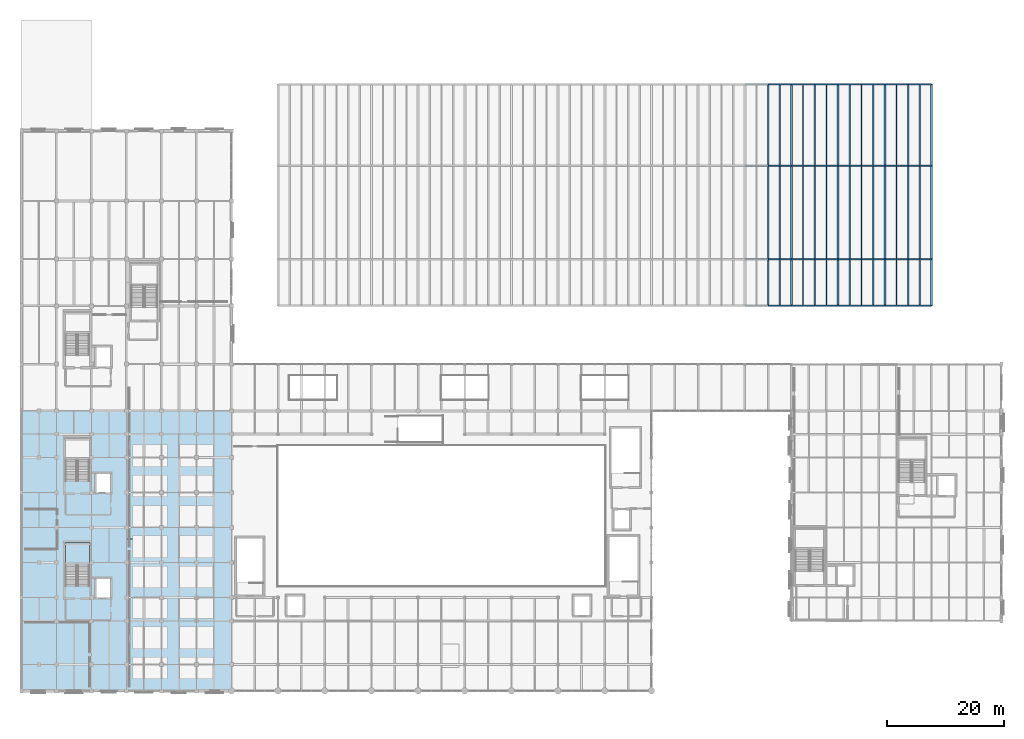
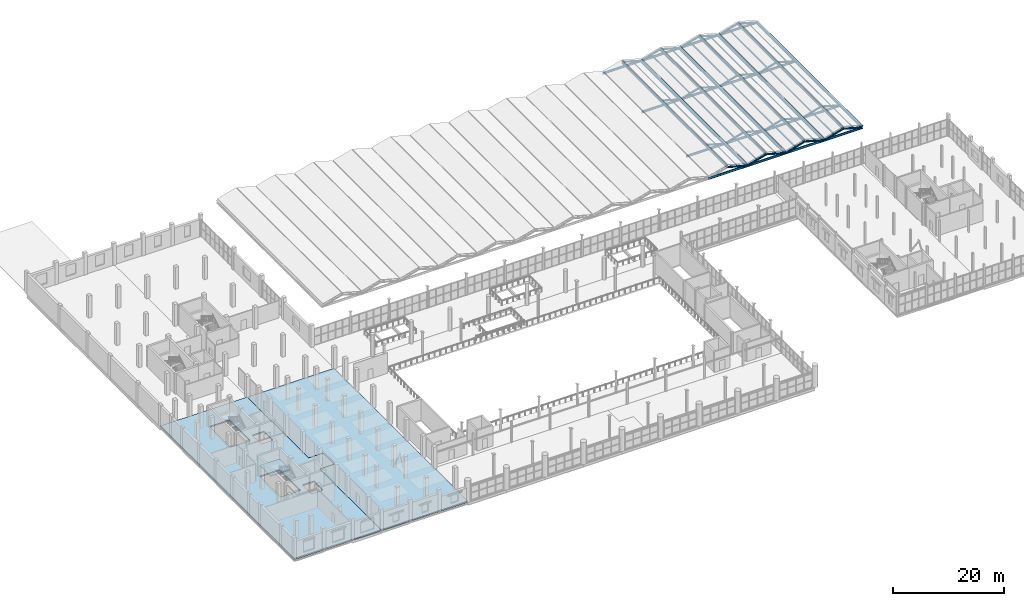
# One storey, part 81 of 114: 49 members, 24 beams, 3 slabs, 1 element without a shape of its own.
"""IFC4 building model written with IfcOpenShell, lengths in metres."""

import ifcopenshell
import ifcopenshell.guid

model = None  # the IFC model being written
_history = None  # IfcOwnerHistory: only IFC2X3 demands one
_inside = {}  # id of a spatial element -> (the spatial element, [elements in it])
_under = {}  # id of a project, library or spatial element -> (it, [spatial elements below it])
_declared = {}  # id of a project -> (the project, [libraries it declares])
_typed = {}  # id of a type object -> (the type object, [elements of that type])
_made_of = {}  # id of a material, layer set ... -> (it, [elements and type objects made of it])


def new_model(schema):
    """Start an empty IFC model of exactly this schema.

    Asked for "IFC4X3", IfcOpenShell would pick the latest addendum, in which some entities
    have other attributes; the version numbers below select the first issue.
    IFC2X3 requires an IfcOwnerHistory on every rooted entity: one is made here for all.
    """
    global model, _history
    if schema == "IFC4X3":
        model = ifcopenshell.file(schema_version=(4, 3, 0, 0))
    else:
        model = ifcopenshell.file(schema=schema)
    _inside.clear()
    _under.clear()
    _declared.clear()
    _typed.clear()
    _made_of.clear()
    _history = None
    if model.schema == "IFC2X3":
        org = make("IfcOrganization", Name="unknown")
        user = make(
            "IfcPersonAndOrganization",
            ThePerson=make("IfcPerson", FamilyName="unknown"),
            TheOrganization=org,
        )
        app = make(
            "IfcApplication",
            ApplicationDeveloper=org,
            Version="unknown",
            ApplicationFullName="unknown",
            ApplicationIdentifier="unknown",
        )
        _history = make(
            "IfcOwnerHistory",
            OwningUser=user,
            OwningApplication=app,
            ChangeAction="ADDED",
            CreationDate=0,
        )
    return model


def make(cls, **values):
    """One entity of the class cls with the attributes given. An attribute that is None is left unset."""
    return model.create_entity(
        cls, **{name: value for name, value in values.items() if value is not None}
    )


def rooted(cls, **values):
    """An entity with a GlobalId (a new one), such as an element, a storey or a relation."""
    return make(cls, GlobalId=ifcopenshell.guid.new(), OwnerHistory=_history, **values)


def si_unit(unit_type, name, prefix=None):
    """IfcSIUnit, for example si_unit("LENGTHUNIT", "METRE", prefix="MILLI")."""
    return make("IfcSIUnit", UnitType=unit_type, Prefix=prefix, Name=name)


def assignment(units):
    """IfcUnitAssignment: the units of a project."""
    return None if units is None else make("IfcUnitAssignment", Units=units)


def point(xyz):
    """IfcCartesianPoint."""
    return None if xyz is None else make("IfcCartesianPoint", Coordinates=xyz)


def direction(xyz):
    """IfcDirection."""
    return None if xyz is None else make("IfcDirection", DirectionRatios=xyz)


def frame(location, z_axis=None, x_axis=None):
    """IfcAxis2Placement3D, a coordinate frame: its origin and axes. An axis left out is left unset."""
    return make(
        "IfcAxis2Placement3D",
        Location=point(location),
        Axis=direction(z_axis),
        RefDirection=direction(x_axis),
    )


def frame_2d(location, x_axis=None):
    """IfcAxis2Placement2D, a coordinate frame in the plane: its origin and x axis."""
    return make(
        "IfcAxis2Placement2D", Location=point(location), RefDirection=direction(x_axis)
    )


def origin():
    """The frame at (0, 0, 0) with its axes left unset."""
    return frame((0.0, 0.0, 0.0))


def origin_2d():
    """The frame at (0, 0) in the plane with its x axis left unset."""
    return frame_2d((0.0, 0.0))


def place(relative_to, where):
    """IfcLocalPlacement: puts the frame where relative to a parent placement (None: the world)."""
    return make(
        "IfcLocalPlacement", PlacementRelTo=relative_to, RelativePlacement=where
    )


def context(
    kind, dimensions, precision=None, world=None, true_north=None, identifier=None
):
    """IfcGeometricRepresentationContext, for example the 3D "Model" context."""
    return make(
        "IfcGeometricRepresentationContext",
        ContextIdentifier=identifier,
        ContextType=kind,
        CoordinateSpaceDimension=dimensions,
        Precision=precision,
        WorldCoordinateSystem=world,
        TrueNorth=true_north,
    )


def subcontext(parent, identifier, kind, view, scale=None):
    """IfcGeometricRepresentationSubContext, for example "Body" below "Model"."""
    return make(
        "IfcGeometricRepresentationSubContext",
        ContextIdentifier=identifier,
        ContextType=kind,
        ParentContext=parent,
        TargetScale=scale,
        TargetView=view,
    )


def project(units=None, contexts=None):
    """IfcProject with its units and contexts."""
    return rooted(
        "IfcProject",
        Name="project",
        RepresentationContexts=contexts,
        UnitsInContext=assignment(units),
    )


def spatial(cls, under=None, at=None, **own):
    """A site, building, storey or space (cls), placed at a placement, below another one or the project."""
    s = rooted(cls, ObjectPlacement=at, **own)
    if under is not None:
        _under.setdefault(under.id(), (under, []))[1].append(s)
    return s


def polyline(points):
    """IfcPolyline through the points."""
    return make("IfcPolyline", Points=[point(p) for p in points])


def profile(cls, at=None, kind="AREA", **sizes):
    """A parametric profile (cls). Its sizes go by their IFC names, for example OverallWidth=200.0."""
    return make(cls, ProfileType=kind, Position=at, **sizes)


def hollow_rectangle(**sizes):
    """IfcRectangleHollowProfileDef."""
    return profile("IfcRectangleHollowProfileDef", **sizes)


def i_section(**sizes):
    """IfcIShapeProfileDef."""
    return profile("IfcIShapeProfileDef", **sizes)


def outline(outer, holes=None, kind="AREA"):
    """IfcArbitraryClosedProfileDef: a profile drawn as a closed curve; with holes, ...WithVoids."""
    if holes is None:
        return make("IfcArbitraryClosedProfileDef", ProfileType=kind, OuterCurve=outer)
    return make(
        "IfcArbitraryProfileDefWithVoids",
        ProfileType=kind,
        OuterCurve=outer,
        InnerCurves=holes,
    )


def extrude(swept, where, along, depth):
    """IfcExtrudedAreaSolid: the profile swept, set in the frame where, extruded along a direction by depth."""
    return make(
        "IfcExtrudedAreaSolid",
        SweptArea=swept,
        Position=where,
        ExtrudedDirection=direction(along),
        Depth=depth,
    )


def shape(context_of_items, identifier, shape_type, items):
    """IfcShapeRepresentation: the items that make up one representation, for example the "Body"."""
    return make(
        "IfcShapeRepresentation",
        ContextOfItems=context_of_items,
        RepresentationIdentifier=identifier,
        RepresentationType=shape_type,
        Items=items,
    )


def material(Name=None, Category=None):
    """IfcMaterial."""
    return make("IfcMaterial", Name=Name, Category=Category)


def layer(
    of_material, thickness, ventilated=None, Name=None, Category=None, Priority=None
):
    """IfcMaterialLayer: one layer of a wall or slab, of a material (None: an air gap)."""
    return make(
        "IfcMaterialLayer",
        Material=of_material,
        LayerThickness=thickness,
        IsVentilated=ventilated,
        Name=Name,
        Category=Category,
        Priority=Priority,
    )


def layer_set(layers, Name=None):
    """IfcMaterialLayerSet."""
    return make("IfcMaterialLayerSet", MaterialLayers=layers, LayerSetName=Name)


def material_profile(
    of_material, cross_section, Name=None, Category=None, Priority=None
):
    """IfcMaterialProfile: a cross section and its material."""
    return make(
        "IfcMaterialProfile",
        Name=Name,
        Material=of_material,
        Profile=cross_section,
        Priority=Priority,
        Category=Category,
    )


def profile_set(profiles, Name=None, composite=None):
    """IfcMaterialProfileSet."""
    return make(
        "IfcMaterialProfileSet",
        Name=Name,
        MaterialProfiles=profiles,
        CompositeProfile=composite,
    )


def made_of(thing, what):
    """Note that an element or type object is made of a material, layer set ...; save() writes the relation."""
    if what is not None:
        _made_of.setdefault(what.id(), (what, []))[1].append(thing)
    return thing


def type_object(cls, material=None, **own):
    """A type object (cls), such as IfcWallType, which elements share."""
    return made_of(rooted(cls, **own), material)


def element(
    cls,
    number,
    at=None,
    inside=None,
    cuts=None,
    type_object=None,
    material=None,
    context=None,
    identifier="Body",
    shape_type=None,
    held_by="IfcProductDefinitionShape",
    body=None,
    shapes=None,
    **own,
):
    """One element of the class cls, such as IfcWall. Its Tag is "e" and its number.

    at: its placement. inside: the storey or other place that contains it. cuts: it is an
    opening in that element (IfcRelVoidsElement). A single representation is given by context,
    identifier, shape_type and body (its items); several are given by shapes. held_by: the class
    of the entity that holds the representations. save() writes the other relations.
    """
    e = rooted(cls, Tag="e%d" % number, ObjectPlacement=at, **own)
    if body is not None:
        shapes = [shape(context, identifier, shape_type, body)]
    if shapes is not None:
        e.Representation = make(held_by, Representations=shapes)
    if inside is not None:
        _inside.setdefault(inside.id(), (inside, []))[1].append(e)
    if cuts is not None:
        rooted(
            "IfcRelVoidsElement", RelatingBuildingElement=cuts, RelatedOpeningElement=e
        )
    if type_object is not None:
        _typed.setdefault(type_object.id(), (type_object, []))[1].append(e)
    return made_of(e, material)


def aggregate(whole, parts):
    """IfcRelAggregates: a whole, such as a stair, and the parts it consists of."""
    return rooted("IfcRelAggregates", RelatingObject=whole, RelatedObjects=parts)


def save(model, path):
    """Write the relations noted so far, then the file.

    IfcRelAggregates (storeys below a building ...), IfcRelContainedInSpatialStructure (elements
    in a storey), IfcRelDefinesByType, IfcRelAssociatesMaterial and IfcRelDeclares: one each for
    every whole, place, type object, material and project.
    """
    for whole, parts in _under.values():
        aggregate(whole, parts)
    for where, things in _inside.values():
        rooted(
            "IfcRelContainedInSpatialStructure",
            RelatedElements=things,
            RelatingStructure=where,
        )
    for kind, things in _typed.values():
        rooted("IfcRelDefinesByType", RelatedObjects=things, RelatingType=kind)
    for what, things in _made_of.values():
        rooted("IfcRelAssociatesMaterial", RelatedObjects=things, RelatingMaterial=what)
    for by, libraries in _declared.values():
        rooted("IfcRelDeclares", RelatingContext=by, RelatedDefinitions=libraries)
    model.write(path)


model = new_model("IFC4")

# Units and contexts
model_context = context("Model", 3, precision=1e-05, world=origin(), true_north=direction((0.0, 1.0)))
body_context = subcontext(model_context, "Body", "Model", "MODEL_VIEW")
ifc_project = project(units=[si_unit("LENGTHUNIT", "METRE"), si_unit("AREAUNIT", "SQUARE_METRE"), si_unit("VOLUMEUNIT", "CUBIC_METRE"), si_unit("PLANEANGLEUNIT", "RADIAN"), si_unit("MASSUNIT", "GRAM", prefix="KILO")], contexts=[model_context])

# Site, building, storey
site_placement = place(None, origin())
site = spatial("IfcSite", under=ifc_project, at=site_placement, CompositionType="ELEMENT")
building_placement = place(site_placement, origin())
building = spatial("IfcBuilding", under=site, at=building_placement, Name="Verrall Gate Interchange", CompositionType="ELEMENT")
storey_placement = place(building_placement, frame((0.0, 0.0, 6.60009765625)))
storey = spatial("IfcBuildingStorey", under=building, at=storey_placement, Name="L02", CompositionType="ELEMENT", Elevation=6.60009765625)

# Beams
ifc_material_1 = material(Name="Structural Steel CSA G40.21 350WT Cat 4", Category="steel")
ifc_material_profile_1 = material_profile(ifc_material_1, i_section(OverallWidth=0.323974609375, OverallDepth=0.611083984375, WebThickness=0.0126953125, FlangeThickness=0.01904296875, FilletRadius=0.014892578125, at=origin_2d()), Name="W610x155")
ifc_profile_set_1 = profile_set([ifc_material_profile_1], Name="Structural Steel CSA G40.21 350WT Cat 4")
beam_type_1 = type_object("IfcBeamType", Name="B-08 Structural Beam W610x155", PredefinedType="BEAM", material=ifc_profile_set_1)
for number, where, z_axis, x_axis, name in (
    (1, (132.0, 66.0, -0.126708984375), (0.0, 1.0, 0.0), (-1.0, 0.0, 0.0), "Bus Roof Valley Girder X=132"),
    (2, (140.0, 66.0, -0.126708984375), (0.0, 1.0, 0.0), (-1.0, 0.0, 0.0), "Bus Roof Valley Girder X=140"),
    (3, (148.0, 66.0, -0.126708984375), (0.0, 1.0, 0.0), (-1.0, 0.0, 0.0), "Bus Roof Valley Girder X=148"),
    (4, (156.0, 66.0, -0.126708984375), (0.0, 1.0, 0.0), (-1.0, 0.0, 0.0), "Bus Roof Valley Girder X=156"),
):
    element("IfcBeam", number, at=place(storey_placement, frame(where, z_axis=z_axis, x_axis=x_axis)), inside=storey, type_object=beam_type_1, Name=name, PredefinedType="BEAM", context=body_context, shape_type="SweptSolid", body=[
        extrude(i_section(OverallWidth=0.323974609375, OverallDepth=0.611083984375, WebThickness=0.0126953125, FlangeThickness=0.01904296875, FilletRadius=0.014892578125, at=origin_2d()), origin(), (0.0, 0.0, 1.0), 38.0),
    ])
ifc_material_2 = material(Name="Structural Steel CSA G40.21 350W", Category="steel")
ifc_material_profile_2 = material_profile(ifc_material_2, i_section(OverallWidth=0.2109375, OverallDepth=0.5390625, WebThickness=0.01171875, FlangeThickness=0.018798828125, FilletRadius=0.013916015625, at=origin_2d()), Name="W530x109")
ifc_profile_set_2 = profile_set([ifc_material_profile_2], Name="Structural Steel CSA G40.21 350W")
beam_type_2 = type_object("IfcBeamType", Name="B-10 Structural Beam W530x109", PredefinedType="BEAM", material=ifc_profile_set_2)
for number, where, z_axis, x_axis, name in (
    (5, (128.0, 66.0, 1.01318359375), (0.0, 1.0, 0.0), (-1.0, 0.0, 0.0), "Bus Roof Ridge Girder 11"),
    (6, (136.0, 66.0, 1.01318359375), (0.0, 1.0, 0.0), (-1.0, 0.0, 0.0), "Bus Roof Ridge Girder 12"),
    (7, (144.0, 66.0, 1.01318359375), (0.0, 1.0, 0.0), (-1.0, 0.0, 0.0), "Bus Roof Ridge Girder 13"),
    (8, (152.0, 66.0, 1.01318359375), (0.0, 1.0, 0.0), (-1.0, 0.0, 0.0), "Bus Roof Ridge Girder 14"),
):
    element("IfcBeam", number, at=place(storey_placement, frame(where, z_axis=z_axis, x_axis=x_axis)), inside=storey, type_object=beam_type_2, Name=name, PredefinedType="BEAM", context=body_context, shape_type="SweptSolid", body=[
        extrude(i_section(OverallWidth=0.2109375, OverallDepth=0.5390625, WebThickness=0.01171875, FlangeThickness=0.018798828125, FilletRadius=0.013916015625, at=origin_2d()), origin(), (0.0, 0.0, 1.0), 38.0),
    ])
ifc_material_3 = material(Name="Structural Steel CSA G40.21 350W", Category="steel")
ifc_material_profile_3 = material_profile(ifc_material_3, i_section(OverallWidth=0.19189453125, OverallDepth=0.462890625, WebThickness=0.010498046875, FlangeThickness=0.017578125, FilletRadius=0.012939453125, at=origin_2d()), Name="W460x89")
ifc_profile_set_3 = profile_set([ifc_material_profile_3], Name="Structural Steel CSA G40.21 350W")
beam_type_3 = type_object("IfcBeamType", Name="B-11 Structural Beam W460x89", PredefinedType="BEAM", material=ifc_profile_set_3)
for number, where, z_axis, x_axis, name in (
    (9, (124.0, 66.0, -0.126708984375), (1.0, 0.0, 0.0), (0.0, 1.0, 0.0), "Bus Roof Tie Girder 11.66"),
    (10, (124.0, 74.0, -0.126708984375), (1.0, 0.0, 0.0), (0.0, 1.0, 0.0), "Bus Roof Tie Girder 11.74"),
    (11, (124.0, 90.0, -0.126708984375), (1.0, 0.0, 0.0), (0.0, 1.0, 0.0), "Bus Roof Tie Girder 11.90"),
    (12, (124.0, 104.0, -0.126708984375), (1.0, 0.0, 0.0), (0.0, 1.0, 0.0), "Bus Roof Tie Girder 11.104"),
    (13, (132.0, 66.0, -0.126708984375), (1.0, 0.0, 0.0), (0.0, 1.0, 0.0), "Bus Roof Tie Girder 12.66"),
    (14, (132.0, 74.0, -0.126708984375), (1.0, 0.0, 0.0), (0.0, 1.0, 0.0), "Bus Roof Tie Girder 12.74"),
    (15, (132.0, 90.0, -0.126708984375), (1.0, 0.0, 0.0), (0.0, 1.0, 0.0), "Bus Roof Tie Girder 12.90"),
    (16, (132.0, 104.0, -0.126708984375), (1.0, 0.0, 0.0), (0.0, 1.0, 0.0), "Bus Roof Tie Girder 12.104"),
    (17, (140.0, 66.0, -0.126708984375), (1.0, 0.0, 0.0), (0.0, 1.0, 0.0), "Bus Roof Tie Girder 13.66"),
    (18, (140.0, 74.0, -0.126708984375), (1.0, 0.0, 0.0), (0.0, 1.0, 0.0), "Bus Roof Tie Girder 13.74"),
    (19, (140.0, 90.0, -0.126708984375), (1.0, 0.0, 0.0), (0.0, 1.0, 0.0), "Bus Roof Tie Girder 13.90"),
    (20, (140.0, 104.0, -0.126708984375), (1.0, 0.0, 0.0), (0.0, 1.0, 0.0), "Bus Roof Tie Girder 13.104"),
    (21, (148.0, 66.0, -0.126708984375), (1.0, 0.0, 0.0), (0.0, 1.0, 0.0), "Bus Roof Tie Girder 14.66"),
    (22, (148.0, 74.0, -0.126708984375), (1.0, 0.0, 0.0), (0.0, 1.0, 0.0), "Bus Roof Tie Girder 14.74"),
    (23, (148.0, 90.0, -0.126708984375), (1.0, 0.0, 0.0), (0.0, 1.0, 0.0), "Bus Roof Tie Girder 14.90"),
    (24, (148.0, 104.0, -0.126708984375), (1.0, 0.0, 0.0), (0.0, 1.0, 0.0), "Bus Roof Tie Girder 14.104"),
):
    element("IfcBeam", number, at=place(storey_placement, frame(where, z_axis=z_axis, x_axis=x_axis)), inside=storey, type_object=beam_type_3, Name=name, PredefinedType="BEAM", context=body_context, shape_type="SweptSolid", body=[
        extrude(i_section(OverallWidth=0.19189453125, OverallDepth=0.462890625, WebThickness=0.010498046875, FlangeThickness=0.017578125, FilletRadius=0.012939453125, at=origin_2d()), origin(), (0.0, 0.0, 1.0), 8.0),
    ])

# Members
ifc_material_4 = material(Name="Structural Steel CSA G40.21 350WT Cat 4", Category="steel")
ifc_material_profile_4 = material_profile(ifc_material_4, i_section(OverallWidth=0.202880859375, OverallDepth=0.202880859375, WebThickness=0.007080078125, FlangeThickness=0.010986328125, FilletRadius=0.010009765625, at=origin_2d()), Name="W200x46")
ifc_profile_set_4 = profile_set([ifc_material_profile_4], Name="Structural Steel CSA G40.21 350WT Cat 4")
member_type_1 = type_object("IfcMemberType", Name="PR-02 Roof Purlin W200x46", PredefinedType="PURLIN", material=ifc_profile_set_4)
member_1_placement = place(storey_placement, frame((134.0, 66.0, 0.59326171875), z_axis=(0.0, 1.0, 0.0), x_axis=(-1.0, 0.0, 0.0)))
element("IfcMember", 25, at=member_1_placement, inside=storey, type_object=member_type_1, Name="Bus Roof Purlin W 12.66", PredefinedType="PURLIN", context=body_context, shape_type="SweptSolid", body=[
    extrude(i_section(OverallWidth=0.202880859375, OverallDepth=0.202880859375, WebThickness=0.007080078125, FlangeThickness=0.010986328125, FilletRadius=0.010009765625, at=origin_2d()), origin(), (0.0, 0.0, 1.0), 8.0),
])
member_2_placement = place(storey_placement, frame((134.0, 74.0, 0.59326171875), z_axis=(0.0, 1.0, 0.0), x_axis=(-1.0, 0.0, 0.0)))
element("IfcMember", 26, at=member_2_placement, inside=storey, type_object=member_type_1, Name="Bus Roof Purlin W 12.74", PredefinedType="PURLIN", context=body_context, shape_type="SweptSolid", body=[
    extrude(i_section(OverallWidth=0.202880859375, OverallDepth=0.202880859375, WebThickness=0.007080078125, FlangeThickness=0.010986328125, FilletRadius=0.010009765625, at=origin_2d()), origin(), (0.0, 0.0, 1.0), 16.0),
])
member_3_placement = place(storey_placement, frame((134.0, 90.0, 0.59326171875), z_axis=(0.0, 1.0, 0.0), x_axis=(-1.0, 0.0, 0.0)))
element("IfcMember", 27, at=member_3_placement, inside=storey, type_object=member_type_1, Name="Bus Roof Purlin W 12.90", PredefinedType="PURLIN", context=body_context, shape_type="SweptSolid", body=[
    extrude(i_section(OverallWidth=0.202880859375, OverallDepth=0.202880859375, WebThickness=0.007080078125, FlangeThickness=0.010986328125, FilletRadius=0.010009765625, at=origin_2d()), origin(), (0.0, 0.0, 1.0), 14.0),
])
member_4_placement = place(storey_placement, frame((142.0, 66.0, 0.59326171875), z_axis=(0.0, 1.0, 0.0), x_axis=(-1.0, 0.0, 0.0)))
element("IfcMember", 28, at=member_4_placement, inside=storey, type_object=member_type_1, Name="Bus Roof Purlin W 13.66", PredefinedType="PURLIN", context=body_context, shape_type="SweptSolid", body=[
    extrude(i_section(OverallWidth=0.202880859375, OverallDepth=0.202880859375, WebThickness=0.007080078125, FlangeThickness=0.010986328125, FilletRadius=0.010009765625, at=origin_2d()), origin(), (0.0, 0.0, 1.0), 8.0),
])
member_5_placement = place(storey_placement, frame((142.0, 74.0, 0.59326171875), z_axis=(0.0, 1.0, 0.0), x_axis=(-1.0, 0.0, 0.0)))
element("IfcMember", 29, at=member_5_placement, inside=storey, type_object=member_type_1, Name="Bus Roof Purlin W 13.74", PredefinedType="PURLIN", context=body_context, shape_type="SweptSolid", body=[
    extrude(i_section(OverallWidth=0.202880859375, OverallDepth=0.202880859375, WebThickness=0.007080078125, FlangeThickness=0.010986328125, FilletRadius=0.010009765625, at=origin_2d()), origin(), (0.0, 0.0, 1.0), 16.0),
])
member_6_placement = place(storey_placement, frame((142.0, 90.0, 0.59326171875), z_axis=(0.0, 1.0, 0.0), x_axis=(-1.0, 0.0, 0.0)))
element("IfcMember", 30, at=member_6_placement, inside=storey, type_object=member_type_1, Name="Bus Roof Purlin W 13.90", PredefinedType="PURLIN", context=body_context, shape_type="SweptSolid", body=[
    extrude(i_section(OverallWidth=0.202880859375, OverallDepth=0.202880859375, WebThickness=0.007080078125, FlangeThickness=0.010986328125, FilletRadius=0.010009765625, at=origin_2d()), origin(), (0.0, 0.0, 1.0), 14.0),
])
member_7_placement = place(storey_placement, frame((150.0, 66.0, 0.59326171875), z_axis=(0.0, 1.0, 0.0), x_axis=(-1.0, 0.0, 0.0)))
element("IfcMember", 31, at=member_7_placement, inside=storey, type_object=member_type_1, Name="Bus Roof Purlin W 14.66", PredefinedType="PURLIN", context=body_context, shape_type="SweptSolid", body=[
    extrude(i_section(OverallWidth=0.202880859375, OverallDepth=0.202880859375, WebThickness=0.007080078125, FlangeThickness=0.010986328125, FilletRadius=0.010009765625, at=origin_2d()), origin(), (0.0, 0.0, 1.0), 8.0),
])
member_8_placement = place(storey_placement, frame((150.0, 74.0, 0.59326171875), z_axis=(0.0, 1.0, 0.0), x_axis=(-1.0, 0.0, 0.0)))
element("IfcMember", 32, at=member_8_placement, inside=storey, type_object=member_type_1, Name="Bus Roof Purlin W 14.74", PredefinedType="PURLIN", context=body_context, shape_type="SweptSolid", body=[
    extrude(i_section(OverallWidth=0.202880859375, OverallDepth=0.202880859375, WebThickness=0.007080078125, FlangeThickness=0.010986328125, FilletRadius=0.010009765625, at=origin_2d()), origin(), (0.0, 0.0, 1.0), 16.0),
])
member_9_placement = place(storey_placement, frame((150.0, 90.0, 0.59326171875), z_axis=(0.0, 1.0, 0.0), x_axis=(-1.0, 0.0, 0.0)))
element("IfcMember", 33, at=member_9_placement, inside=storey, type_object=member_type_1, Name="Bus Roof Purlin W 14.90", PredefinedType="PURLIN", context=body_context, shape_type="SweptSolid", body=[
    extrude(i_section(OverallWidth=0.202880859375, OverallDepth=0.202880859375, WebThickness=0.007080078125, FlangeThickness=0.010986328125, FilletRadius=0.010009765625, at=origin_2d()), origin(), (0.0, 0.0, 1.0), 14.0),
])
ifc_material_5 = material(Name="Structural Steel CSA G40.21 350WT Cat 4", Category="steel")
ifc_material_profile_5 = material_profile(ifc_material_5, hollow_rectangle(XDim=0.152099609375, YDim=0.202880859375, WallThickness=0.008056640625, InnerFilletRadius=0.008056640625, OuterFilletRadius=0.015869140625, at=origin_2d()), Name="HSS203x152x8.0")
ifc_profile_set_5 = profile_set([ifc_material_profile_5], Name="Structural Steel CSA G40.21 350WT Cat 4")
member_type_2 = type_object("IfcMemberType", Name="PR-04 Roof Purlin HSS203x152x8.0", PredefinedType="PURLIN", material=ifc_profile_set_5)
member_10_placement = place(storey_placement, frame((130.0, 66.0, 0.59326171875), z_axis=(0.0, 1.0, 0.0), x_axis=(-1.0, 0.0, 0.0)))
element("IfcMember", 34, at=member_10_placement, inside=storey, type_object=member_type_2, Name="Bus Roof Purlin E 11.66", PredefinedType="PURLIN", context=body_context, shape_type="SweptSolid", body=[
    extrude(hollow_rectangle(XDim=0.152099609375, YDim=0.202880859375, WallThickness=0.008056640625, InnerFilletRadius=0.008056640625, OuterFilletRadius=0.015869140625, at=origin_2d()), origin(), (0.0, 0.0, 1.0), 8.0),
])
member_11_placement = place(storey_placement, frame((130.0, 74.0, 0.59326171875), z_axis=(0.0, 1.0, 0.0), x_axis=(-1.0, 0.0, 0.0)))
element("IfcMember", 35, at=member_11_placement, inside=storey, type_object=member_type_2, Name="Bus Roof Purlin E 11.74", PredefinedType="PURLIN", context=body_context, shape_type="SweptSolid", body=[
    extrude(hollow_rectangle(XDim=0.152099609375, YDim=0.202880859375, WallThickness=0.008056640625, InnerFilletRadius=0.008056640625, OuterFilletRadius=0.015869140625, at=origin_2d()), origin(), (0.0, 0.0, 1.0), 16.0),
])
member_12_placement = place(storey_placement, frame((130.0, 90.0, 0.59326171875), z_axis=(0.0, 1.0, 0.0), x_axis=(-1.0, 0.0, 0.0)))
element("IfcMember", 36, at=member_12_placement, inside=storey, type_object=member_type_2, Name="Bus Roof Purlin E 11.90", PredefinedType="PURLIN", context=body_context, shape_type="SweptSolid", body=[
    extrude(hollow_rectangle(XDim=0.152099609375, YDim=0.202880859375, WallThickness=0.008056640625, InnerFilletRadius=0.008056640625, OuterFilletRadius=0.015869140625, at=origin_2d()), origin(), (0.0, 0.0, 1.0), 14.0),
])
member_13_placement = place(storey_placement, frame((138.0, 66.0, 0.59326171875), z_axis=(0.0, 1.0, 0.0), x_axis=(-1.0, 0.0, 0.0)))
element("IfcMember", 37, at=member_13_placement, inside=storey, type_object=member_type_2, Name="Bus Roof Purlin E 12.66", PredefinedType="PURLIN", context=body_context, shape_type="SweptSolid", body=[
    extrude(hollow_rectangle(XDim=0.152099609375, YDim=0.202880859375, WallThickness=0.008056640625, InnerFilletRadius=0.008056640625, OuterFilletRadius=0.015869140625, at=origin_2d()), origin(), (0.0, 0.0, 1.0), 8.0),
])
member_14_placement = place(storey_placement, frame((138.0, 74.0, 0.59326171875), z_axis=(0.0, 1.0, 0.0), x_axis=(-1.0, 0.0, 0.0)))
element("IfcMember", 38, at=member_14_placement, inside=storey, type_object=member_type_2, Name="Bus Roof Purlin E 12.74", PredefinedType="PURLIN", context=body_context, shape_type="SweptSolid", body=[
    extrude(hollow_rectangle(XDim=0.152099609375, YDim=0.202880859375, WallThickness=0.008056640625, InnerFilletRadius=0.008056640625, OuterFilletRadius=0.015869140625, at=origin_2d()), origin(), (0.0, 0.0, 1.0), 16.0),
])
member_15_placement = place(storey_placement, frame((138.0, 90.0, 0.59326171875), z_axis=(0.0, 1.0, 0.0), x_axis=(-1.0, 0.0, 0.0)))
element("IfcMember", 39, at=member_15_placement, inside=storey, type_object=member_type_2, Name="Bus Roof Purlin E 12.90", PredefinedType="PURLIN", context=body_context, shape_type="SweptSolid", body=[
    extrude(hollow_rectangle(XDim=0.152099609375, YDim=0.202880859375, WallThickness=0.008056640625, InnerFilletRadius=0.008056640625, OuterFilletRadius=0.015869140625, at=origin_2d()), origin(), (0.0, 0.0, 1.0), 14.0),
])
member_16_placement = place(storey_placement, frame((146.0, 66.0, 0.59326171875), z_axis=(0.0, 1.0, 0.0), x_axis=(-1.0, 0.0, 0.0)))
element("IfcMember", 40, at=member_16_placement, inside=storey, type_object=member_type_2, Name="Bus Roof Purlin E 13.66", PredefinedType="PURLIN", context=body_context, shape_type="SweptSolid", body=[
    extrude(hollow_rectangle(XDim=0.152099609375, YDim=0.202880859375, WallThickness=0.008056640625, InnerFilletRadius=0.008056640625, OuterFilletRadius=0.015869140625, at=origin_2d()), origin(), (0.0, 0.0, 1.0), 8.0),
])
member_17_placement = place(storey_placement, frame((146.0, 74.0, 0.59326171875), z_axis=(0.0, 1.0, 0.0), x_axis=(-1.0, 0.0, 0.0)))
element("IfcMember", 41, at=member_17_placement, inside=storey, type_object=member_type_2, Name="Bus Roof Purlin E 13.74", PredefinedType="PURLIN", context=body_context, shape_type="SweptSolid", body=[
    extrude(hollow_rectangle(XDim=0.152099609375, YDim=0.202880859375, WallThickness=0.008056640625, InnerFilletRadius=0.008056640625, OuterFilletRadius=0.015869140625, at=origin_2d()), origin(), (0.0, 0.0, 1.0), 16.0),
])
member_18_placement = place(storey_placement, frame((146.0, 90.0, 0.59326171875), z_axis=(0.0, 1.0, 0.0), x_axis=(-1.0, 0.0, 0.0)))
element("IfcMember", 42, at=member_18_placement, inside=storey, type_object=member_type_2, Name="Bus Roof Purlin E 13.90", PredefinedType="PURLIN", context=body_context, shape_type="SweptSolid", body=[
    extrude(hollow_rectangle(XDim=0.152099609375, YDim=0.202880859375, WallThickness=0.008056640625, InnerFilletRadius=0.008056640625, OuterFilletRadius=0.015869140625, at=origin_2d()), origin(), (0.0, 0.0, 1.0), 14.0),
])
member_19_placement = place(storey_placement, frame((154.0, 66.0, 0.59326171875), z_axis=(0.0, 1.0, 0.0), x_axis=(-1.0, 0.0, 0.0)))
element("IfcMember", 43, at=member_19_placement, inside=storey, type_object=member_type_2, Name="Bus Roof Purlin E 14.66", PredefinedType="PURLIN", context=body_context, shape_type="SweptSolid", body=[
    extrude(hollow_rectangle(XDim=0.152099609375, YDim=0.202880859375, WallThickness=0.008056640625, InnerFilletRadius=0.008056640625, OuterFilletRadius=0.015869140625, at=origin_2d()), origin(), (0.0, 0.0, 1.0), 8.0),
])
member_20_placement = place(storey_placement, frame((154.0, 74.0, 0.59326171875), z_axis=(0.0, 1.0, 0.0), x_axis=(-1.0, 0.0, 0.0)))
element("IfcMember", 44, at=member_20_placement, inside=storey, type_object=member_type_2, Name="Bus Roof Purlin E 14.74", PredefinedType="PURLIN", context=body_context, shape_type="SweptSolid", body=[
    extrude(hollow_rectangle(XDim=0.152099609375, YDim=0.202880859375, WallThickness=0.008056640625, InnerFilletRadius=0.008056640625, OuterFilletRadius=0.015869140625, at=origin_2d()), origin(), (0.0, 0.0, 1.0), 16.0),
])
member_21_placement = place(storey_placement, frame((154.0, 90.0, 0.59326171875), z_axis=(0.0, 1.0, 0.0), x_axis=(-1.0, 0.0, 0.0)))
element("IfcMember", 45, at=member_21_placement, inside=storey, type_object=member_type_2, Name="Bus Roof Purlin E 14.90", PredefinedType="PURLIN", context=body_context, shape_type="SweptSolid", body=[
    extrude(hollow_rectangle(XDim=0.152099609375, YDim=0.202880859375, WallThickness=0.008056640625, InnerFilletRadius=0.008056640625, OuterFilletRadius=0.015869140625, at=origin_2d()), origin(), (0.0, 0.0, 1.0), 14.0),
])
ifc_material_6 = material(Name="Structural Steel CSA G40.21 350WT Cat 4", Category="steel")
ifc_material_profile_6 = material_profile(ifc_material_6, i_section(OverallWidth=0.25390625, OverallDepth=0.305908203125, WebThickness=0.0087890625, FlangeThickness=0.0146484375, FilletRadius=0.012939453125, at=origin_2d()), Name="W310x79")
ifc_profile_set_6 = profile_set([ifc_material_profile_6], Name="Structural Steel CSA G40.21 350WT Cat 4")
member_type_3 = type_object("IfcMemberType", Name="RF-03 Folded Roof Rafter W310x79", PredefinedType="RAFTER", material=ifc_profile_set_6)
for number, where, z_axis, x_axis, name in (
    (46, (128.0, 66.0, 1.01318359375), (0.961711999212, 0.0, -0.274062092549), (0.0, 1.0, 0.0), "Bus Roof Rafter E 11.66"),
    (47, (128.0, 74.0, 1.01318359375), (0.961711999212, 0.0, -0.274062092549), (0.0, 1.0, 0.0), "Bus Roof Rafter E 11.74"),
    (48, (128.0, 90.0, 1.01318359375), (0.961711999212, 0.0, -0.274062092549), (0.0, 1.0, 0.0), "Bus Roof Rafter E 11.90"),
    (49, (128.0, 104.0, 1.01318359375), (0.961711999212, 0.0, -0.274062092549), (0.0, 1.0, 0.0), "Bus Roof Rafter E 11.104"),
    (50, (132.0, 66.0, -0.126708984375), (0.961711999212, 0.0, 0.274062092549), (0.0, 1.0, 0.0), "Bus Roof Rafter W 12.66"),
    (51, (136.0, 66.0, 1.01318359375), (0.961711999212, 0.0, -0.274062092549), (0.0, 1.0, 0.0), "Bus Roof Rafter E 12.66"),
    (52, (132.0, 74.0, -0.126708984375), (0.961711999212, 0.0, 0.274062092549), (0.0, 1.0, 0.0), "Bus Roof Rafter W 12.74"),
    (53, (136.0, 74.0, 1.01318359375), (0.961711999212, 0.0, -0.274062092549), (0.0, 1.0, 0.0), "Bus Roof Rafter E 12.74"),
    (54, (132.0, 90.0, -0.126708984375), (0.961711999212, 0.0, 0.274062092549), (0.0, 1.0, 0.0), "Bus Roof Rafter W 12.90"),
    (55, (136.0, 90.0, 1.01318359375), (0.961711999212, 0.0, -0.274062092549), (0.0, 1.0, 0.0), "Bus Roof Rafter E 12.90"),
    (56, (132.0, 104.0, -0.126708984375), (0.961711999212, 0.0, 0.274062092549), (0.0, 1.0, 0.0), "Bus Roof Rafter W 12.104"),
    (57, (136.0, 104.0, 1.01318359375), (0.961711999212, 0.0, -0.274062092549), (0.0, 1.0, 0.0), "Bus Roof Rafter E 12.104"),
    (58, (140.0, 66.0, -0.126708984375), (0.961711999212, 0.0, 0.274062092549), (0.0, 1.0, 0.0), "Bus Roof Rafter W 13.66"),
    (59, (144.0, 66.0, 1.01318359375), (0.961711999212, 0.0, -0.274062092549), (0.0, 1.0, 0.0), "Bus Roof Rafter E 13.66"),
    (60, (140.0, 74.0, -0.126708984375), (0.961711999212, 0.0, 0.274062092549), (0.0, 1.0, 0.0), "Bus Roof Rafter W 13.74"),
    (61, (144.0, 74.0, 1.01318359375), (0.961711999212, 0.0, -0.274062092549), (0.0, 1.0, 0.0), "Bus Roof Rafter E 13.74"),
    (62, (140.0, 90.0, -0.126708984375), (0.961711999212, 0.0, 0.274062092549), (0.0, 1.0, 0.0), "Bus Roof Rafter W 13.90"),
    (63, (144.0, 90.0, 1.01318359375), (0.961711999212, 0.0, -0.274062092549), (0.0, 1.0, 0.0), "Bus Roof Rafter E 13.90"),
    (64, (140.0, 104.0, -0.126708984375), (0.961711999212, 0.0, 0.274062092549), (0.0, 1.0, 0.0), "Bus Roof Rafter W 13.104"),
    (65, (144.0, 104.0, 1.01318359375), (0.961711999212, 0.0, -0.274062092549), (0.0, 1.0, 0.0), "Bus Roof Rafter E 13.104"),
    (66, (148.0, 66.0, -0.126708984375), (0.961711999212, 0.0, 0.274062092549), (0.0, 1.0, 0.0), "Bus Roof Rafter W 14.66"),
    (67, (152.0, 66.0, 1.01318359375), (0.961711999212, 0.0, -0.274062092549), (0.0, 1.0, 0.0), "Bus Roof Rafter E 14.66"),
    (68, (148.0, 74.0, -0.126708984375), (0.961711999212, 0.0, 0.274062092549), (0.0, 1.0, 0.0), "Bus Roof Rafter W 14.74"),
    (69, (152.0, 74.0, 1.01318359375), (0.961711999212, 0.0, -0.274062092549), (0.0, 1.0, 0.0), "Bus Roof Rafter E 14.74"),
    (70, (148.0, 90.0, -0.126708984375), (0.961711999212, 0.0, 0.274062092549), (0.0, 1.0, 0.0), "Bus Roof Rafter W 14.90"),
    (71, (152.0, 90.0, 1.01318359375), (0.961711999212, 0.0, -0.274062092549), (0.0, 1.0, 0.0), "Bus Roof Rafter E 14.90"),
    (72, (148.0, 104.0, -0.126708984375), (0.961711999212, 0.0, 0.274062092549), (0.0, 1.0, 0.0), "Bus Roof Rafter W 14.104"),
    (73, (152.0, 104.0, 1.01318359375), (0.961711999212, 0.0, -0.274062092549), (0.0, 1.0, 0.0), "Bus Roof Rafter E 14.104"),
):
    element("IfcMember", number, at=place(storey_placement, frame(where, z_axis=z_axis, x_axis=x_axis)), inside=storey, type_object=member_type_3, Name=name, PredefinedType="RAFTER", context=body_context, shape_type="SweptSolid", body=[
        extrude(i_section(OverallWidth=0.25390625, OverallDepth=0.305908203125, WebThickness=0.0087890625, FlangeThickness=0.0146484375, FilletRadius=0.012939453125, at=origin_2d()), origin(), (0.0, 0.0, 1.0), 4.1591796875),
    ])

# Slabs
ifc_material_7 = material(Name="Concrete CSA A23.1 40 MPa (Class N)", Category="concrete")
ifc_layer_1 = layer(ifc_material_7, 0.280029296875)
ifc_layer_set_1 = layer_set([ifc_layer_1], Name="Concrete CSA A23.1 40 MPa (Class N)")
slab_type_1 = type_object("IfcSlabType", Name="FS-08 Floor Slab 280", PredefinedType="FLOOR", material=ifc_layer_set_1)
slab_1_placement = place(storey_placement, frame((0.0, 0.0, -0.280029296875)))
element("IfcSlab", 74, at=slab_1_placement, inside=storey, type_object=slab_type_1, Name="L02 Structural Slab SLB-L02-01", PredefinedType="FLOOR", context=body_context, shape_type="SweptSolid", body=[
    extrude(outline(polyline([(0.0, 0.0), (0.0, 48.0), (18.0, 48.0), (18.0, 26.0), (21.0, 26.0), (21.0, 22.0), (18.0, 22.0), (18.0, 0.0), (0.0, 0.0)]), holes=[polyline([(15.25, 19.199951171875), (12.85009765625, 19.199951171875), (12.85009765625, 16.0), (15.25, 16.0), (15.25, 19.199951171875)]), polyline([(15.25, 34.0), (15.25, 37.199951171875), (12.85009765625, 37.199951171875), (12.85009765625, 34.0), (15.25, 34.0)]), polyline([(11.64990234375, 25.39990234375), (7.550048828125, 25.39990234375), (7.550048828125, 17.949951171875), (11.64990234375, 17.949951171875), (11.64990234375, 25.39990234375)]), polyline([(11.64990234375, 43.39990234375), (7.550048828125, 43.39990234375), (7.550048828125, 35.949951171875), (11.64990234375, 35.949951171875), (11.64990234375, 43.39990234375)])]), origin(), (0.0, 0.0, 1.0), 0.280029296875),
])
slab_2_placement = place(storey_placement, frame((0.0, 0.0, -0.280029296875)))
element("IfcSlab", 75, at=slab_2_placement, inside=storey, type_object=slab_type_1, Name="L02 Structural Slab SLB-L02-02", PredefinedType="FLOOR", context=body_context, shape_type="SweptSolid", body=[
    extrude(outline(polyline([(36.0, 0.0), (18.0, 0.0), (18.0, 22.0), (21.0, 22.0), (21.0, 26.0), (18.0, 26.0), (18.0, 48.0), (36.0, 48.0), (36.0, 0.0)])), origin(), (0.0, 0.0, 1.0), 0.280029296875),
])

# Stair, slab
ifc_material_8 = material(Name="Concrete CSA A23.1 40 MPa (Class N)", Category="concrete")
stair_type = type_object("IfcStairType", Name="ST-T02 Straight-Flight Return Exit Stair W1950 H4800", PredefinedType="STRAIGHT_RUN_STAIR", material=ifc_material_8)
stair_placement = place(storey_placement, origin())
stair = element("IfcStair", 76, at=stair_placement, inside=storey, type_object=stair_type, Name="L02 ST-01", PredefinedType="STRAIGHT_RUN_STAIR")
ifc_material_9 = material(Name="Concrete CSA A23.1 40 MPa (Class N)", Category="concrete")
ifc_layer_2 = layer(ifc_material_9, 0.18994140625)
ifc_layer_set_2 = layer_set([ifc_layer_2], Name="Concrete CSA A23.1 40 MPa (Class N)")
slab_type_2 = type_object("IfcSlabType", Name="LS-01 Stair Landing Slab 190", PredefinedType="LANDING", material=ifc_layer_set_2)
slab_3_placement = place(storey_placement, frame((0.0, 0.0, 2.199951171875)))
slab_3 = element("IfcSlab", 77, at=slab_3_placement, type_object=slab_type_2, Name="ST-01 landing 1", PredefinedType="LANDING", context=body_context, shape_type="SweptSolid", body=[
    extrude(outline(polyline([(11.64990234375, 21.590087890625), (11.64990234375, 25.39990234375), (7.550048828125, 25.39990234375), (7.550048828125, 21.590087890625), (11.64990234375, 21.590087890625)])), origin(), (0.0, 0.0, 1.0), 0.199951171875),
])
aggregate(stair, [slab_3])

save(model, "model.ifc")
